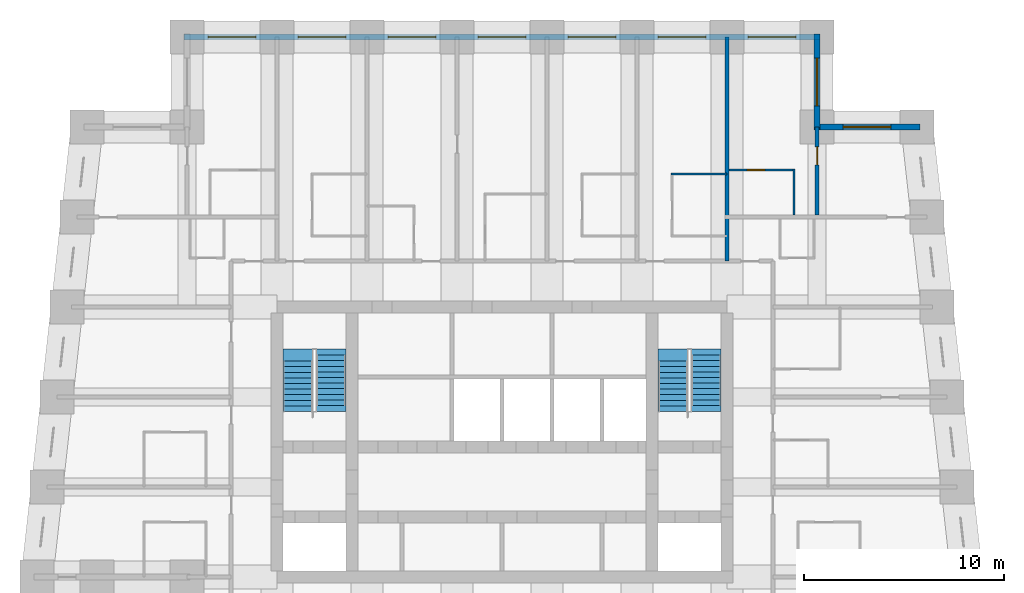
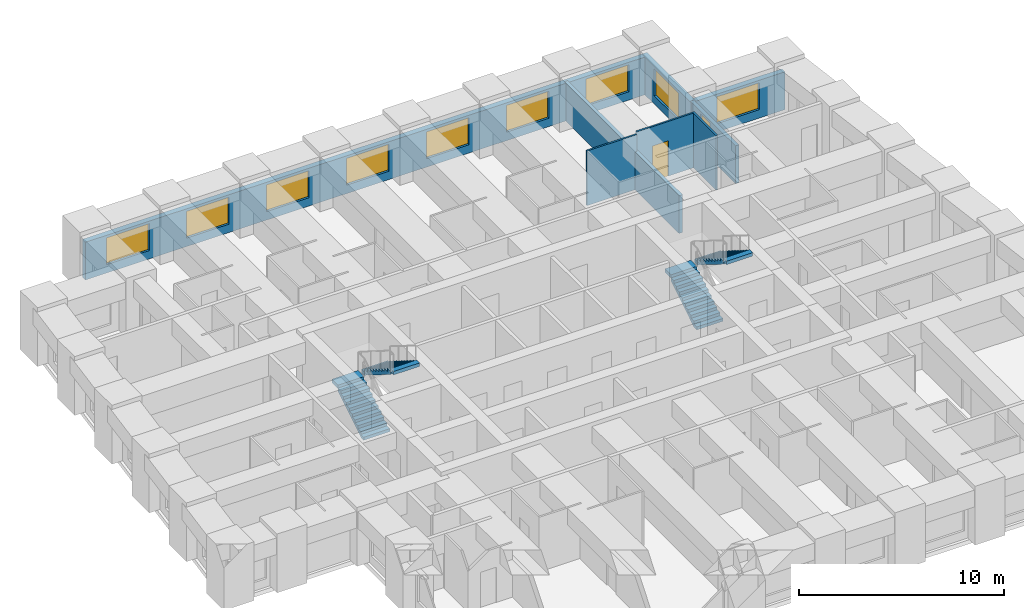
# One storey, part 7 of 8: 9 windows, 8 walls, 4 stair flights, 2 doors, 11 openings, 2 elements without a shape of their own.
"""IFC4 building model written with IfcOpenShell, lengths in metres."""

from ifc_helpers import new_model, si_unit, direction, frame, frame_2d, origin, place, context, subcontext, project, spatial, polyline, rectangle, outline, extrude, material, layer, layer_set, type_object, element, fill, aggregate, save


model = new_model("IFC4")

# Units and contexts
model_context = context("Model", 3, precision=1e-05, world=origin(), true_north=direction((0.0, 1.0)))
body_context = subcontext(model_context, "Body", "Model", "MODEL_VIEW")
ifc_project = project(units=[si_unit("LENGTHUNIT", "METRE"), si_unit("AREAUNIT", "SQUARE_METRE"), si_unit("VOLUMEUNIT", "CUBIC_METRE"), si_unit("PLANEANGLEUNIT", "RADIAN"), si_unit("MASSUNIT", "GRAM", prefix="KILO")], contexts=[model_context])

# Site, building, storey
site_placement = place(None, origin())
site = spatial("IfcSite", under=ifc_project, at=site_placement, CompositionType="ELEMENT")
building_placement = place(site_placement, origin())
building = spatial("IfcBuilding", under=site, at=building_placement, Name="Kilele Tower Hotel", CompositionType="ELEMENT")
storey_placement = place(building_placement, frame((0.0, 0.0, 169.39990234375)))
storey = spatial("IfcBuildingStorey", under=building, at=storey_placement, Name="L43", CompositionType="ELEMENT", Elevation=169.39990234375)

# Walls
ifc_material_1 = material(Name="Moisture-resistant board")
ifc_layer_1 = layer(ifc_material_1, 0.10009765625)
ifc_layer_set_1 = layer_set([ifc_layer_1], Name="Moisture-resistant board")
wall_type_1 = type_object("IfcWallType", Name="Bathroom partition 100", PredefinedType="PLUMBINGWALL", material=ifc_layer_set_1)
wall_1_placement = place(storey_placement, frame((33.199951171875, 33.64990234375, 0.0), z_axis=(0.0, 0.0, 1.0), x_axis=(1.0, 0.0, 0.0)))
element("IfcWall", 1, at=wall_1_placement, inside=storey, type_object=wall_type_1, Name="Bathroom partition 100 L43", PredefinedType="PLUMBINGWALL", context=body_context, shape_type="SweptSolid", body=[
    extrude(rectangle(XDim=2.800048828125, YDim=0.10009765625, at=frame_2d((1.39990234375, 0.0))), origin(), (0.0, 0.0, 1.0), 3.25),
])
wall_2_placement = place(storey_placement, frame((39.35009765625, 31.60009765625, 0.0), z_axis=(0.0, 0.0, 1.0), x_axis=(0.0, 1.0, 0.0)))
element("IfcWall", 2, at=wall_2_placement, inside=storey, type_object=wall_type_1, Name="Bathroom partition 100 L43", PredefinedType="PLUMBINGWALL", context=body_context, shape_type="SweptSolid", body=[
    extrude(rectangle(XDim=2.2998046875, YDim=0.10009765625, at=frame_2d((1.14990234375, 0.0))), origin(), (0.0, 0.0, 1.0), 3.25),
])

# Wall, opening, door
wall_3_placement = place(storey_placement, frame((36.10009765625, 33.85009765625, 0.0), z_axis=(0.0, 0.0, 1.0), x_axis=(1.0, 0.0, 0.0)))
wall_3 = element("IfcWall", 3, at=wall_3_placement, inside=storey, type_object=wall_type_1, Name="Bathroom partition 100 L43", PredefinedType="PLUMBINGWALL", context=body_context, shape_type="SweptSolid", body=[
    extrude(rectangle(XDim=3.2998046875, YDim=0.10009765625, at=frame_2d((1.64990234375, 0.0))), origin(), (0.0, 0.0, 1.0), 3.25),
])
opening_1_placement = place(wall_3_placement, frame((0.89990234375, 0.0, 0.0)))
opening_1 = element("IfcOpeningElement", 4, at=opening_1_placement, cuts=wall_3, Name="Opening D2A", PredefinedType="OPENING", context=body_context, shape_type="SweptSolid", body=[
    extrude(rectangle(XDim=0.89990234375, YDim=2.10009765625, at=frame_2d((0.449951171875, 1.050048828125))), frame((0.0, 0.06005859375, 0.0), z_axis=(0.0, -1.0, 0.0), x_axis=(1.0, 0.0, 0.0)), (0.0, 0.0, 1.0), 0.1201171875),
])
ifc_material_2 = material(Name="Timber door leaf in hardwood frame", Category="wood")
door_type_1 = type_object("IfcDoorType", Name="Bathroom door 900", OperationType="SINGLE_SWING_LEFT", PredefinedType="DOOR", material=ifc_material_2)
door_1_placement = place(opening_1_placement, origin())
door_1 = element("IfcDoor", 5, at=door_1_placement, inside=storey, type_object=door_type_1, Name="Bathroom door 4323B", OperationType="SINGLE_SWING_LEFT", OverallHeight=2.10009765625, OverallWidth=0.89990234375, PredefinedType="DOOR", context=body_context, shape_type="SweptSolid", body=[
    extrude(rectangle(XDim=0.89990234375, YDim=2.10009765625, at=frame_2d((0.449951171875, 1.050048828125))), frame((0.0, 0.02490234375, 0.0), z_axis=(0.0, -1.0, 0.0), x_axis=(1.0, 0.0, 0.0)), (0.0, 0.0, 1.0), 0.050048828125),
])
fill(opening_1, door_1)

ifc_material_3 = material(Name="Blockwork, plastered both sides", Category="masonry")
ifc_layer_2 = layer(ifc_material_3, 0.199951171875)
ifc_layer_set_2 = layer_set([ifc_layer_2], Name="Blockwork, plastered both sides")
wall_type_2 = type_object("IfcWallType", Name="Partition wall 200", PredefinedType="PARTITIONING", material=ifc_layer_set_2)
wall_4_placement = place(storey_placement, frame((40.5, 31.60009765625, 0.0), z_axis=(0.0, 0.0, 1.0), x_axis=(0.0, 1.0, 0.0)))
wall_4 = element("IfcWall", 6, at=wall_4_placement, inside=storey, type_object=wall_type_2, Name="Partition wall 200 L43", PredefinedType="PARTITIONING", context=body_context, shape_type="SweptSolid", body=[
    extrude(rectangle(XDim=4.39990234375, YDim=0.199951171875, at=frame_2d((2.199951171875, 0.0))), origin(), (0.0, 0.0, 1.0), 2.25),
])
opening_2_placement = place(wall_4_placement, frame((2.5, 0.0, 0.0)))
opening_2 = element("IfcOpeningElement", 7, at=opening_2_placement, cuts=wall_4, Name="Opening D3", PredefinedType="OPENING", context=body_context, shape_type="SweptSolid", body=[
    extrude(rectangle(XDim=0.89990234375, YDim=2.10009765625, at=frame_2d((0.449951171875, 1.050048828125))), frame((0.0, 0.10986328125, 0.0), z_axis=(0.0, -1.0, 0.0), x_axis=(1.0, 0.0, 0.0)), (0.0, 0.0, 1.0), 0.219970703125),
])
ifc_material_4 = material(Name="Timber door leaf in hardwood frame", Category="wood")
door_type_2 = type_object("IfcDoorType", Name="Suite internal door 900", OperationType="SINGLE_SWING_LEFT", PredefinedType="DOOR", material=ifc_material_4)
door_2_placement = place(opening_2_placement, origin())
door_2 = element("IfcDoor", 8, at=door_2_placement, inside=storey, type_object=door_type_2, Name="Suite door 4324", OperationType="SINGLE_SWING_RIGHT", OverallHeight=2.10009765625, OverallWidth=0.89990234375, PredefinedType="DOOR", context=body_context, shape_type="SweptSolid", body=[
    extrude(rectangle(XDim=0.89990234375, YDim=2.10009765625, at=frame_2d((0.449951171875, 1.050048828125))), frame((0.0, 0.02490234375, 0.0), z_axis=(0.0, -1.0, 0.0), x_axis=(1.0, 0.0, 0.0)), (0.0, 0.0, 1.0), 0.050048828125),
])
fill(opening_2, door_2)

# Wall
ifc_material_5 = material(Name="Blockwork, plastered both sides", Category="masonry")
ifc_layer_3 = layer(ifc_material_5, 0.199951171875)
ifc_layer_set_3 = layer_set([ifc_layer_3], Name="Blockwork, plastered both sides")
wall_type_3 = type_object("IfcWallType", Name="Party wall 200", PredefinedType="PARTITIONING", material=ifc_layer_set_3)
wall_5_placement = place(storey_placement, frame((36.0, 29.300048828125, 0.0), z_axis=(0.0, 0.0, 1.0), x_axis=(0.0, 1.0, 0.0)))
element("IfcWall", 9, at=wall_5_placement, inside=storey, type_object=wall_type_3, Name="Party wall 200 L43", PredefinedType="PARTITIONING", context=body_context, shape_type="SweptSolid", body=[
    extrude(rectangle(XDim=11.199951171875, YDim=0.199951171875, at=frame_2d((5.60009765625, 0.0))), origin(), (0.0, 0.0, 1.0), 2.25),
])

# Wall, opening, window
ifc_material_6 = material(Name="Concrete C40/50 precast", Category="concrete")
ifc_layer_4 = layer(ifc_material_6, 0.260009765625, Name="Precast backing", Category="LoadBearing")
ifc_material_7 = material(Name="Reconstituted stone finish", Category="masonry")
ifc_layer_5 = layer(ifc_material_7, 0.0400390625, Name="Face mix", Category="Finish")
ifc_layer_set_4 = layer_set([ifc_layer_4, ifc_layer_5], Name="Precast concrete C40/50, reconstituted stone finish")
wall_type_4 = type_object("IfcWallType", Name="Precast stone facade wall 300", PredefinedType="STANDARD", material=ifc_layer_set_4)
wall_6_placement = place(storey_placement, frame((45.64990234375, 36.0, 0.0), z_axis=(0.0, 0.0, 1.0), x_axis=(-1.0, 0.0, 0.0)))
wall_6 = element("IfcWall", 10, at=wall_6_placement, inside=storey, type_object=wall_type_4, Name="Facade wall L43 edge 7", PredefinedType="STANDARD", context=body_context, shape_type="SweptSolid", body=[
    extrude(rectangle(XDim=5.2998046875, YDim=0.300048828125, at=frame_2d((2.64990234375, 0.0))), origin(), (0.0, 0.0, 1.0), 2.25),
])
opening_3_placement = place(wall_6_placement, frame((1.449951171875, 0.0, 0.5)))
opening_3 = element("IfcOpeningElement", 11, at=opening_3_placement, cuts=wall_6, Name="Opening W3", PredefinedType="OPENING", context=body_context, shape_type="SweptSolid", body=[
    extrude(rectangle(XDim=2.39990234375, YDim=1.60009765625, at=frame_2d((1.199951171875, 0.800048828125))), frame((0.0, 0.159912109375, 0.0), z_axis=(0.0, -1.0, 0.0), x_axis=(1.0, 0.0, 0.0)), (0.0, 0.0, 1.0), 0.320068359375),
])
ifc_material_8 = material(Name="Aluminium frame, clear double glazing", Category="aluminium")
window_type = type_object("IfcWindowType", Name="Window W3 2400 x 1600", PartitioningType="SINGLE_PANEL", PredefinedType="WINDOW", material=ifc_material_8)
window_1_placement = place(opening_3_placement, origin())
window_1 = element("IfcWindow", 12, at=window_1_placement, inside=storey, type_object=window_type, Name="Window L43", OverallHeight=1.60009765625, OverallWidth=2.39990234375, PartitioningType="SINGLE_PANEL", PredefinedType="WINDOW", context=body_context, shape_type="SweptSolid", body=[
    extrude(rectangle(XDim=2.39990234375, YDim=1.60009765625, at=frame_2d((1.199951171875, 0.800048828125))), frame((0.0, 0.030029296875, 0.0), z_axis=(0.0, -1.0, 0.0), x_axis=(1.0, 0.0, 0.0)), (0.0, 0.0, 1.0), 0.06005859375),
])
fill(opening_3, window_1)

wall_7_placement = place(storey_placement, frame((40.5, 35.85009765625, 0.0), z_axis=(0.0, 0.0, 1.0), x_axis=(0.0, 1.0, 0.0)))
wall_7 = element("IfcWall", 13, at=wall_7_placement, inside=storey, type_object=wall_type_4, Name="Facade wall L43 edge 8", PredefinedType="STANDARD", context=body_context, shape_type="SweptSolid", body=[
    extrude(rectangle(XDim=4.7998046875, YDim=0.300048828125, at=frame_2d((2.39990234375, 0.0))), origin(), (0.0, 0.0, 1.0), 2.25),
])
opening_4_placement = place(wall_7_placement, frame((1.199951171875, 0.0, 0.5)))
opening_4 = element("IfcOpeningElement", 14, at=opening_4_placement, cuts=wall_7, Name="Opening W3", PredefinedType="OPENING", context=body_context, shape_type="SweptSolid", body=[
    extrude(rectangle(XDim=2.39990234375, YDim=1.60009765625, at=frame_2d((1.199951171875, 0.800048828125))), frame((0.0, 0.159912109375, 0.0), z_axis=(0.0, -1.0, 0.0), x_axis=(1.0, 0.0, 0.0)), (0.0, 0.0, 1.0), 0.320068359375),
])
window_2_placement = place(opening_4_placement, origin())
window_2 = element("IfcWindow", 15, at=window_2_placement, inside=storey, type_object=window_type, Name="Window L43", OverallHeight=1.60009765625, OverallWidth=2.39990234375, PartitioningType="SINGLE_PANEL", PredefinedType="WINDOW", context=body_context, shape_type="SweptSolid", body=[
    extrude(rectangle(XDim=2.39990234375, YDim=1.60009765625, at=frame_2d((1.199951171875, 0.800048828125))), frame((0.0, 0.030029296875, 0.0), z_axis=(0.0, -1.0, 0.0), x_axis=(1.0, 0.0, 0.0)), (0.0, 0.0, 1.0), 0.06005859375),
])
fill(opening_4, window_2)

# Wall, openings, windows
wall_8_placement = place(storey_placement, frame((40.64990234375, 40.5, 0.0), z_axis=(0.0, 0.0, 1.0), x_axis=(-1.0, 0.0, 0.0)))
wall_8 = element("IfcWall", 16, at=wall_8_placement, inside=storey, type_object=wall_type_4, Name="Facade wall L43 edge 9", PredefinedType="STANDARD", context=body_context, shape_type="SweptSolid", body=[
    extrude(rectangle(XDim=31.7998046875, YDim=0.300048828125, at=frame_2d((15.89990234375, 0.0))), origin(), (0.0, 0.0, 1.0), 2.25),
])
opening_5_placement = place(wall_8_placement, frame((1.199951171875, 0.0, 0.5)))
opening_5 = element("IfcOpeningElement", 17, at=opening_5_placement, cuts=wall_8, Name="Opening W3", PredefinedType="OPENING", context=body_context, shape_type="SweptSolid", body=[
    extrude(rectangle(XDim=2.39990234375, YDim=1.60009765625, at=frame_2d((1.199951171875, 0.800048828125))), frame((0.0, 0.159912109375, 0.0), z_axis=(0.0, -1.0, 0.0), x_axis=(1.0, 0.0, 0.0)), (0.0, 0.0, 1.0), 0.320068359375),
])
opening_6_placement = place(wall_8_placement, frame((5.699951171875, 0.0, 0.5)))
opening_6 = element("IfcOpeningElement", 18, at=opening_6_placement, cuts=wall_8, Name="Opening W3", PredefinedType="OPENING", context=body_context, shape_type="SweptSolid", body=[
    extrude(rectangle(XDim=2.39990234375, YDim=1.60009765625, at=frame_2d((1.199951171875, 0.800048828125))), frame((0.0, 0.159912109375, 0.0), z_axis=(0.0, -1.0, 0.0), x_axis=(1.0, 0.0, 0.0)), (0.0, 0.0, 1.0), 0.320068359375),
])
opening_7_placement = place(wall_8_placement, frame((10.199951171875, 0.0, 0.5)))
opening_7 = element("IfcOpeningElement", 19, at=opening_7_placement, cuts=wall_8, Name="Opening W3", PredefinedType="OPENING", context=body_context, shape_type="SweptSolid", body=[
    extrude(rectangle(XDim=2.39990234375, YDim=1.60009765625, at=frame_2d((1.199951171875, 0.800048828125))), frame((0.0, 0.159912109375, 0.0), z_axis=(0.0, -1.0, 0.0), x_axis=(1.0, 0.0, 0.0)), (0.0, 0.0, 1.0), 0.320068359375),
])
opening_8_placement = place(wall_8_placement, frame((14.699951171875, 0.0, 0.5)))
opening_8 = element("IfcOpeningElement", 20, at=opening_8_placement, cuts=wall_8, Name="Opening W3", PredefinedType="OPENING", context=body_context, shape_type="SweptSolid", body=[
    extrude(rectangle(XDim=2.39990234375, YDim=1.60009765625, at=frame_2d((1.199951171875, 0.800048828125))), frame((0.0, 0.159912109375, 0.0), z_axis=(0.0, -1.0, 0.0), x_axis=(1.0, 0.0, 0.0)), (0.0, 0.0, 1.0), 0.320068359375),
])
opening_9_placement = place(wall_8_placement, frame((19.199951171875, 0.0, 0.5)))
opening_9 = element("IfcOpeningElement", 21, at=opening_9_placement, cuts=wall_8, Name="Opening W3", PredefinedType="OPENING", context=body_context, shape_type="SweptSolid", body=[
    extrude(rectangle(XDim=2.39990234375, YDim=1.60009765625, at=frame_2d((1.199951171875, 0.800048828125))), frame((0.0, 0.159912109375, 0.0), z_axis=(0.0, -1.0, 0.0), x_axis=(1.0, 0.0, 0.0)), (0.0, 0.0, 1.0), 0.320068359375),
])
opening_10_placement = place(wall_8_placement, frame((23.699951171875, 0.0, 0.5)))
opening_10 = element("IfcOpeningElement", 22, at=opening_10_placement, cuts=wall_8, Name="Opening W3", PredefinedType="OPENING", context=body_context, shape_type="SweptSolid", body=[
    extrude(rectangle(XDim=2.39990234375, YDim=1.60009765625, at=frame_2d((1.199951171875, 0.800048828125))), frame((0.0, 0.159912109375, 0.0), z_axis=(0.0, -1.0, 0.0), x_axis=(1.0, 0.0, 0.0)), (0.0, 0.0, 1.0), 0.320068359375),
])
opening_11_placement = place(wall_8_placement, frame((28.199951171875, 0.0, 0.5)))
opening_11 = element("IfcOpeningElement", 23, at=opening_11_placement, cuts=wall_8, Name="Opening W3", PredefinedType="OPENING", context=body_context, shape_type="SweptSolid", body=[
    extrude(rectangle(XDim=2.39990234375, YDim=1.60009765625, at=frame_2d((1.199951171875, 0.800048828125))), frame((0.0, 0.159912109375, 0.0), z_axis=(0.0, -1.0, 0.0), x_axis=(1.0, 0.0, 0.0)), (0.0, 0.0, 1.0), 0.320068359375),
])
window_3_placement = place(opening_5_placement, origin())
window_3 = element("IfcWindow", 24, at=window_3_placement, inside=storey, type_object=window_type, Name="Window L43", OverallHeight=1.60009765625, OverallWidth=2.39990234375, PartitioningType="SINGLE_PANEL", PredefinedType="WINDOW", context=body_context, shape_type="SweptSolid", body=[
    extrude(rectangle(XDim=2.39990234375, YDim=1.60009765625, at=frame_2d((1.199951171875, 0.800048828125))), frame((0.0, 0.030029296875, 0.0), z_axis=(0.0, -1.0, 0.0), x_axis=(1.0, 0.0, 0.0)), (0.0, 0.0, 1.0), 0.06005859375),
])
fill(opening_5, window_3)
window_4_placement = place(opening_6_placement, origin())
window_4 = element("IfcWindow", 25, at=window_4_placement, inside=storey, type_object=window_type, Name="Window L43", OverallHeight=1.60009765625, OverallWidth=2.39990234375, PartitioningType="SINGLE_PANEL", PredefinedType="WINDOW", context=body_context, shape_type="SweptSolid", body=[
    extrude(rectangle(XDim=2.39990234375, YDim=1.60009765625, at=frame_2d((1.199951171875, 0.800048828125))), frame((0.0, 0.030029296875, 0.0), z_axis=(0.0, -1.0, 0.0), x_axis=(1.0, 0.0, 0.0)), (0.0, 0.0, 1.0), 0.06005859375),
])
fill(opening_6, window_4)
window_5_placement = place(opening_7_placement, origin())
window_5 = element("IfcWindow", 26, at=window_5_placement, inside=storey, type_object=window_type, Name="Window L43", OverallHeight=1.60009765625, OverallWidth=2.39990234375, PartitioningType="SINGLE_PANEL", PredefinedType="WINDOW", context=body_context, shape_type="SweptSolid", body=[
    extrude(rectangle(XDim=2.39990234375, YDim=1.60009765625, at=frame_2d((1.199951171875, 0.800048828125))), frame((0.0, 0.030029296875, 0.0), z_axis=(0.0, -1.0, 0.0), x_axis=(1.0, 0.0, 0.0)), (0.0, 0.0, 1.0), 0.06005859375),
])
fill(opening_7, window_5)
window_6_placement = place(opening_8_placement, origin())
window_6 = element("IfcWindow", 27, at=window_6_placement, inside=storey, type_object=window_type, Name="Window L43", OverallHeight=1.60009765625, OverallWidth=2.39990234375, PartitioningType="SINGLE_PANEL", PredefinedType="WINDOW", context=body_context, shape_type="SweptSolid", body=[
    extrude(rectangle(XDim=2.39990234375, YDim=1.60009765625, at=frame_2d((1.199951171875, 0.800048828125))), frame((0.0, 0.030029296875, 0.0), z_axis=(0.0, -1.0, 0.0), x_axis=(1.0, 0.0, 0.0)), (0.0, 0.0, 1.0), 0.06005859375),
])
fill(opening_8, window_6)
window_7_placement = place(opening_9_placement, origin())
window_7 = element("IfcWindow", 28, at=window_7_placement, inside=storey, type_object=window_type, Name="Window L43", OverallHeight=1.60009765625, OverallWidth=2.39990234375, PartitioningType="SINGLE_PANEL", PredefinedType="WINDOW", context=body_context, shape_type="SweptSolid", body=[
    extrude(rectangle(XDim=2.39990234375, YDim=1.60009765625, at=frame_2d((1.199951171875, 0.800048828125))), frame((0.0, 0.030029296875, 0.0), z_axis=(0.0, -1.0, 0.0), x_axis=(1.0, 0.0, 0.0)), (0.0, 0.0, 1.0), 0.06005859375),
])
fill(opening_9, window_7)
window_8_placement = place(opening_10_placement, origin())
window_8 = element("IfcWindow", 29, at=window_8_placement, inside=storey, type_object=window_type, Name="Window L43", OverallHeight=1.60009765625, OverallWidth=2.39990234375, PartitioningType="SINGLE_PANEL", PredefinedType="WINDOW", context=body_context, shape_type="SweptSolid", body=[
    extrude(rectangle(XDim=2.39990234375, YDim=1.60009765625, at=frame_2d((1.199951171875, 0.800048828125))), frame((0.0, 0.030029296875, 0.0), z_axis=(0.0, -1.0, 0.0), x_axis=(1.0, 0.0, 0.0)), (0.0, 0.0, 1.0), 0.06005859375),
])
fill(opening_10, window_8)
window_9_placement = place(opening_11_placement, origin())
window_9 = element("IfcWindow", 30, at=window_9_placement, inside=storey, type_object=window_type, Name="Window L43", OverallHeight=1.60009765625, OverallWidth=2.39990234375, PartitioningType="SINGLE_PANEL", PredefinedType="WINDOW", context=body_context, shape_type="SweptSolid", body=[
    extrude(rectangle(XDim=2.39990234375, YDim=1.60009765625, at=frame_2d((1.199951171875, 0.800048828125))), frame((0.0, 0.030029296875, 0.0), z_axis=(0.0, -1.0, 0.0), x_axis=(1.0, 0.0, 0.0)), (0.0, 0.0, 1.0), 0.06005859375),
])
fill(opening_11, window_9)

# Stair, stair flights
ifc_material_9 = material(Name="Precast concrete C40/50", Category="concrete")
stair_type = type_object("IfcStairType", Name="Stair 1475 x 3500", PredefinedType="HALF_TURN_STAIR", material=ifc_material_9)
stair_1_placement = place(storey_placement, origin())
stair_1 = element("IfcStair", 31, at=stair_1_placement, inside=storey, type_object=stair_type, Name="Stair 1 L43", PredefinedType="HALF_TURN_STAIR")
ifc_material_10 = material(Name="Precast concrete C40/50", Category="concrete")
stair_flight_type = type_object("IfcStairFlightType", Name="Flight 1475 riser 175.0", PredefinedType="STRAIGHT", material=ifc_material_10)
stair_flight_1_placement = place(storey_placement, frame((14.53759765625, 21.77490234375, 0.0), z_axis=(0.0, 0.0, 1.0), x_axis=(0.0, 1.0, 0.0)))
stair_flight_1 = element("IfcStairFlight", 32, at=stair_flight_1_placement, type_object=stair_flight_type, Name="ST1 flight 1", NumberOfRisers=10, NumberOfTreads=9, PredefinedType="STRAIGHT", RiserHeight=0.175, TreadLength=0.28, context=body_context, shape_type="SweptSolid", body=[
    extrude(outline(polyline([(0.0, 0.0), (0.0, 0.175048828125), (0.280029296875, 0.175048828125), (0.280029296875, 0.35009765625), (0.56005859375, 0.35009765625), (0.56005859375, 0.52490234375), (0.840087890625, 0.52490234375), (0.840087890625, 0.699951171875), (1.1201171875, 0.699951171875), (1.1201171875, 0.875), (1.39990234375, 0.875), (1.39990234375, 1.050048828125), (1.679931640625, 1.050048828125), (1.679931640625, 1.22509765625), (1.9599609375, 1.22509765625), (1.9599609375, 1.39990234375), (2.239990234375, 1.39990234375), (2.239990234375, 1.574951171875), (2.52001953125, 1.574951171875), (2.52001953125, 1.75), (2.52001953125, 1.398193359375), (0.28271484375, 0.0), (0.0, 0.0)])), frame((0.0, 0.737548828125, 0.0), z_axis=(0.0, -1.0, 0.0), x_axis=(1.0, 0.0, 0.0)), (0.0, 0.0, 1.0), 1.47509765625),
    extrude(outline(polyline([(2.52001953125, 0.737548828125), (2.52001953125, -0.7373046875), (3.1201171875, -0.7373046875), (3.1201171875, 0.737548828125), (2.52001953125, 0.737548828125)])), frame((0.0, 0.0, 1.550048828125)), (0.0, 0.0, 1.0), 0.199951171875),
])
stair_flight_2_placement = place(storey_placement, frame((16.21240234375, 24.594970703125, 1.75), z_axis=(0.0, 0.0, 1.0), x_axis=(0.0, -1.0, 0.0)))
stair_flight_2 = element("IfcStairFlight", 33, at=stair_flight_2_placement, type_object=stair_flight_type, Name="ST1 flight 2", NumberOfRisers=10, NumberOfTreads=9, PredefinedType="STRAIGHT", RiserHeight=0.175, TreadLength=0.28, context=body_context, shape_type="SweptSolid", body=[
    extrude(outline(polyline([(0.0, 0.0), (0.0, 0.175048828125), (0.280029296875, 0.175048828125), (0.280029296875, 0.35009765625), (0.56005859375, 0.35009765625), (0.56005859375, 0.52490234375), (0.840087890625, 0.52490234375), (0.840087890625, 0.699951171875), (1.1201171875, 0.699951171875), (1.1201171875, 0.875), (1.39990234375, 0.875), (1.39990234375, 1.050048828125), (1.679931640625, 1.050048828125), (1.679931640625, 1.22509765625), (1.9599609375, 1.22509765625), (1.9599609375, 1.39990234375), (2.239990234375, 1.39990234375), (2.239990234375, 1.574951171875), (2.52001953125, 1.574951171875), (2.52001953125, 1.75), (2.52001953125, 1.398193359375), (0.28271484375, 0.0), (0.0, 0.0)])), frame((0.0, 0.737548828125, 0.0), z_axis=(0.0, -1.0, 0.0), x_axis=(1.0, 0.0, 0.0)), (0.0, 0.0, 1.0), 1.47509765625),
    extrude(outline(polyline([(0.0, -0.7373046875), (0.0, 0.737548828125), (-0.300048828125, 0.737548828125), (-0.300048828125, -0.7373046875), (0.0, -0.7373046875)])), frame((0.0, 0.0, -0.199951171875)), (0.0, 0.0, 1.0), 0.199951171875),
    extrude(outline(polyline([(2.820068359375, -0.7373046875), (2.820068359375, 0.737548828125), (2.52001953125, 0.737548828125), (2.52001953125, -0.7373046875), (2.820068359375, -0.7373046875)])), frame((0.0, 0.0, 1.550048828125)), (0.0, 0.0, 1.0), 0.199951171875),
])
aggregate(stair_1, [stair_flight_1, stair_flight_2])

stair_2_placement = place(storey_placement, origin())
stair_2 = element("IfcStair", 34, at=stair_2_placement, inside=storey, type_object=stair_type, Name="Stair 2 L43", PredefinedType="HALF_TURN_STAIR")
stair_flight_3_placement = place(storey_placement, frame((33.28759765625, 21.77490234375, 0.0), z_axis=(0.0, 0.0, 1.0), x_axis=(0.0, 1.0, 0.0)))
stair_flight_3 = element("IfcStairFlight", 35, at=stair_flight_3_placement, type_object=stair_flight_type, Name="ST2 flight 1", NumberOfRisers=10, NumberOfTreads=9, PredefinedType="STRAIGHT", RiserHeight=0.175, TreadLength=0.28, context=body_context, shape_type="SweptSolid", body=[
    extrude(outline(polyline([(0.0, 0.0), (0.0, 0.175048828125), (0.280029296875, 0.175048828125), (0.280029296875, 0.35009765625), (0.56005859375, 0.35009765625), (0.56005859375, 0.52490234375), (0.840087890625, 0.52490234375), (0.840087890625, 0.699951171875), (1.1201171875, 0.699951171875), (1.1201171875, 0.875), (1.39990234375, 0.875), (1.39990234375, 1.050048828125), (1.679931640625, 1.050048828125), (1.679931640625, 1.22509765625), (1.9599609375, 1.22509765625), (1.9599609375, 1.39990234375), (2.239990234375, 1.39990234375), (2.239990234375, 1.574951171875), (2.52001953125, 1.574951171875), (2.52001953125, 1.75), (2.52001953125, 1.398193359375), (0.28271484375, 0.0), (0.0, 0.0)])), frame((0.0, 0.737548828125, 0.0), z_axis=(0.0, -1.0, 0.0), x_axis=(1.0, 0.0, 0.0)), (0.0, 0.0, 1.0), 1.47509765625),
    extrude(outline(polyline([(2.52001953125, 0.737548828125), (2.52001953125, -0.7373046875), (3.1201171875, -0.7373046875), (3.1201171875, 0.737548828125), (2.52001953125, 0.737548828125)])), frame((0.0, 0.0, 1.550048828125)), (0.0, 0.0, 1.0), 0.199951171875),
])
stair_flight_4_placement = place(storey_placement, frame((34.96240234375, 24.594970703125, 1.75), z_axis=(0.0, 0.0, 1.0), x_axis=(0.0, -1.0, 0.0)))
stair_flight_4 = element("IfcStairFlight", 36, at=stair_flight_4_placement, type_object=stair_flight_type, Name="ST2 flight 2", NumberOfRisers=10, NumberOfTreads=9, PredefinedType="STRAIGHT", RiserHeight=0.175, TreadLength=0.28, context=body_context, shape_type="SweptSolid", body=[
    extrude(outline(polyline([(0.0, 0.0), (0.0, 0.175048828125), (0.280029296875, 0.175048828125), (0.280029296875, 0.35009765625), (0.56005859375, 0.35009765625), (0.56005859375, 0.52490234375), (0.840087890625, 0.52490234375), (0.840087890625, 0.699951171875), (1.1201171875, 0.699951171875), (1.1201171875, 0.875), (1.39990234375, 0.875), (1.39990234375, 1.050048828125), (1.679931640625, 1.050048828125), (1.679931640625, 1.22509765625), (1.9599609375, 1.22509765625), (1.9599609375, 1.39990234375), (2.239990234375, 1.39990234375), (2.239990234375, 1.574951171875), (2.52001953125, 1.574951171875), (2.52001953125, 1.75), (2.52001953125, 1.398193359375), (0.28271484375, 0.0), (0.0, 0.0)])), frame((0.0, 0.737548828125, 0.0), z_axis=(0.0, -1.0, 0.0), x_axis=(1.0, 0.0, 0.0)), (0.0, 0.0, 1.0), 1.47509765625),
    extrude(outline(polyline([(0.0, -0.7373046875), (0.0, 0.737548828125), (-0.300048828125, 0.737548828125), (-0.300048828125, -0.7373046875), (0.0, -0.7373046875)])), frame((0.0, 0.0, -0.199951171875)), (0.0, 0.0, 1.0), 0.199951171875),
    extrude(outline(polyline([(2.820068359375, -0.7373046875), (2.820068359375, 0.737548828125), (2.52001953125, 0.737548828125), (2.52001953125, -0.7373046875), (2.820068359375, -0.7373046875)])), frame((0.0, 0.0, 1.550048828125)), (0.0, 0.0, 1.0), 0.199951171875),
])
aggregate(stair_2, [stair_flight_3, stair_flight_4])

save(model, "model.ifc")
